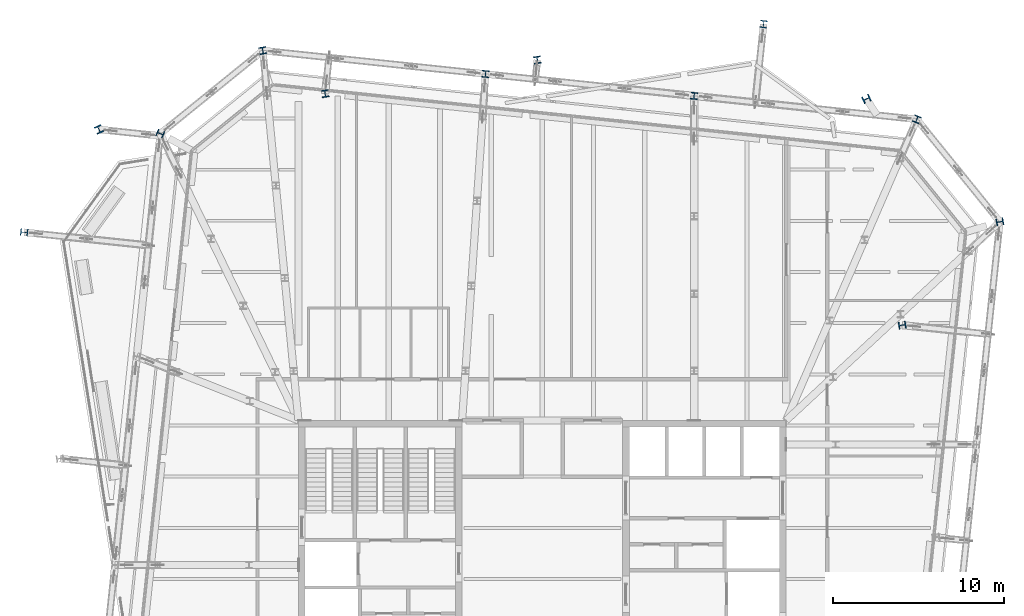
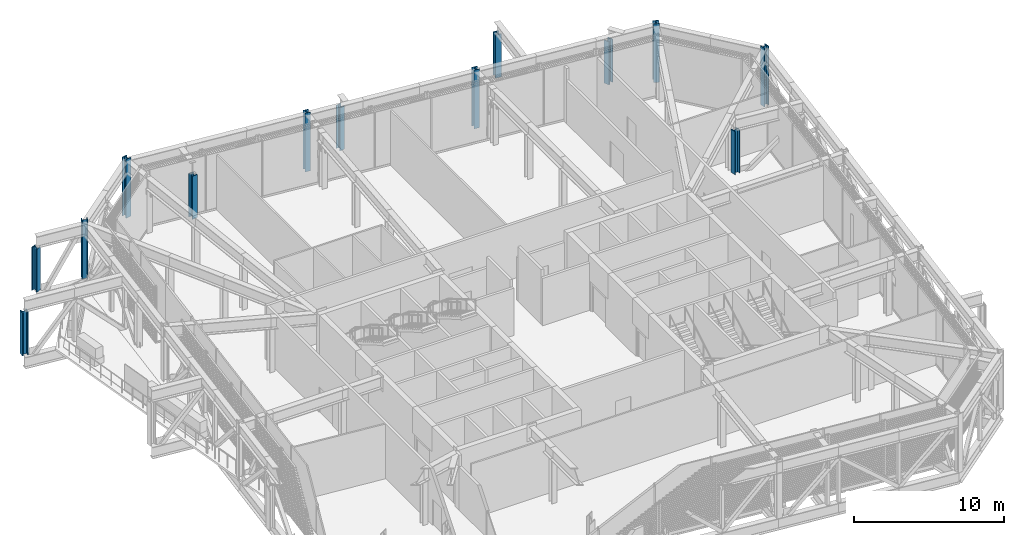
# One storey, part 2 of 36: 13 columns.
"""IFC4 building model written with IfcOpenShell, lengths in metres."""

from ifc_helpers import new_model, si_unit, direction, frame, origin, origin_2d, place, context, subcontext, project, spatial, i_section, extrude, material, material_profile, profile_set, type_object, element, save


model = new_model("IFC4")

# Units and contexts
model_context = context("Model", 3, precision=1e-05, world=origin(), true_north=direction((0.0, 1.0)))
body_context = subcontext(model_context, "Body", "Model", "MODEL_VIEW")
ifc_project = project(units=[si_unit("LENGTHUNIT", "METRE"), si_unit("AREAUNIT", "SQUARE_METRE"), si_unit("VOLUMEUNIT", "CUBIC_METRE"), si_unit("PLANEANGLEUNIT", "RADIAN"), si_unit("MASSUNIT", "GRAM", prefix="KILO")], contexts=[model_context])

# Site, building, storey
site_placement = place(None, origin())
site = spatial("IfcSite", under=ifc_project, at=site_placement, CompositionType="ELEMENT")
building_placement = place(site_placement, origin())
building = spatial("IfcBuilding", under=site, at=building_placement, Name="Millrace Tower", CompositionType="ELEMENT")
storey_placement = place(building_placement, frame((0.0, 0.0, 271.39990234375)))
storey = spatial("IfcBuildingStorey", under=building, at=storey_placement, Name="L62", CompositionType="ELEMENT", Elevation=271.39990234375)

# Columns
ifc_material_1 = material(Name="Steel ASTM A913 Grade 65", Category="steel")
ifc_material_profile_1 = material_profile(ifc_material_1, i_section(OverallWidth=0.4013671875, OverallDepth=0.398681640625, WebThickness=0.02490234375, FlangeThickness=0.03955078125, FilletRadius=0.01513671875, at=origin_2d()))
ifc_profile_set_1 = profile_set([ifc_material_profile_1], Name="Steel ASTM A913 Grade 65")
column_type_1 = type_object("IfcColumnType", Name="Exoskeleton column W14x211", PredefinedType="COLUMN", material=ifc_profile_set_1)
for number, where, z_axis, x_axis, name in (
    (1, (8.9033203125, 28.321533203125, -0.159912109375), (0.0, 0.0, 1.0), (-0.994521897246, 0.104528445407, 0.0), "COL-E-L62-X11"),
    (2, (-3.329345703125, 29.607177734375, -0.159912109375), (0.0, 0.0, 1.0), (-0.994521897246, 0.104528445407, 0.0), "COL-E-L62-X12"),
):
    element("IfcColumn", number, at=place(storey_placement, frame(where, z_axis=z_axis, x_axis=x_axis)), inside=storey, type_object=column_type_1, Name=name, PredefinedType="COLUMN", context=body_context, shape_type="SweptSolid", body=[
        extrude(i_section(OverallWidth=0.4013671875, OverallDepth=0.398681640625, WebThickness=0.02490234375, FlangeThickness=0.03955078125, FilletRadius=0.01513671875, at=origin_2d()), origin(), (0.0, 0.0, 1.0), 4.760009765625),
    ])
ifc_material_2 = material(Name="Steel ASTM A913 Grade 65", Category="steel")
ifc_material_profile_2 = material_profile(ifc_material_2, i_section(OverallWidth=0.406494140625, OverallDepth=0.41650390625, WebThickness=0.030029296875, FlangeThickness=0.048095703125, FilletRadius=0.01513671875, at=origin_2d()))
ifc_profile_set_2 = profile_set([ifc_material_profile_2], Name="Steel ASTM A913 Grade 65")
column_type_2 = type_object("IfcColumnType", Name="Exoskeleton column W14x257", PredefinedType="COLUMN", material=ifc_profile_set_2)
for number, where, z_axis, x_axis, name in (
    (3, (26.82958984375, 20.935791015625, -0.159912109375), (0.0, 0.0, 1.0), (-0.18038747256, 0.983595628164, 0.0), "COL-E-L62-X09"),
    (4, (21.9599609375, 26.94921875, -0.159912109375), (0.0, 0.0, 1.0), (-0.92459700658, 0.380946683176, 0.0), "COL-E-L62-X10"),
    (5, (-16.3857421875, 30.9794921875, -0.159912109375), (0.0, 0.0, 1.0), (-0.983595628164, -0.18038747256, 0.0), "COL-E-L62-X13"),
    (6, (-22.399169921875, 26.10986328125, -0.159912109375), (0.0, 0.0, 1.0), (-0.380946683176, -0.92459700658, 0.0), "COL-E-L62-X14"),
):
    element("IfcColumn", number, at=place(storey_placement, frame(where, z_axis=z_axis, x_axis=x_axis)), inside=storey, type_object=column_type_2, Name=name, PredefinedType="COLUMN", context=body_context, shape_type="SweptSolid", body=[
        extrude(i_section(OverallWidth=0.406494140625, OverallDepth=0.41650390625, WebThickness=0.030029296875, FlangeThickness=0.048095703125, FilletRadius=0.01513671875, at=origin_2d()), origin(), (0.0, 0.0, 1.0), 4.760009765625),
    ])
ifc_material_3 = material(Name="Steel ASTM A913 Grade 65", Category="steel")
ifc_material_profile_3 = material_profile(ifc_material_3, i_section(OverallWidth=0.408935546875, OverallDepth=0.424072265625, WebThickness=0.03271484375, FlangeThickness=0.052490234375, FilletRadius=0.01513671875, at=origin_2d()))
ifc_profile_set_3 = profile_set([ifc_material_profile_3], Name="Steel ASTM A913 Grade 65")
column_type_3 = type_object("IfcColumnType", Name="Exoskeleton column W14x283", PredefinedType="COLUMN", material=ifc_profile_set_3)
for number, where, z_axis, x_axis, name in (
    (7, (21.106689453125, 14.88330078125, 0.0), (0.0, 0.0, 1.0), (-0.156434462265, 0.987688341035, 0.0), "COL-D-L62-X08"),
    (8, (-0.288330078125, 30.427734375, 0.0), (0.0, 0.0, 1.0), (-0.987688341035, -0.156434462265, 0.0), "COL-D-L62-X11"),
    (9, (-12.7333984375, 28.456787109375, 0.0), (0.0, 0.0, 1.0), (-0.987688341035, -0.156434462265, 0.0), "COL-D-L62-X12"),
):
    element("IfcColumn", number, at=place(storey_placement, frame(where, z_axis=z_axis, x_axis=x_axis)), inside=storey, type_object=column_type_3, Name=name, PredefinedType="COLUMN", context=body_context, shape_type="SweptSolid", body=[
        extrude(i_section(OverallWidth=0.408935546875, OverallDepth=0.424072265625, WebThickness=0.03271484375, FlangeThickness=0.052490234375, FilletRadius=0.01513671875, at=origin_2d()), origin(), (0.0, 0.0, 1.0), 3.49267578125),
    ])
ifc_material_4 = material(Name="Steel ASTM A913 Grade 65", Category="steel")
ifc_material_profile_4 = material_profile(ifc_material_4, i_section(OverallWidth=0.41650390625, OverallDepth=0.444580078125, WebThickness=0.0390625, FlangeThickness=0.062744140625, FilletRadius=0.01513671875, at=origin_2d()))
ifc_profile_set_4 = profile_set([ifc_material_profile_4], Name="Steel ASTM A913 Grade 65")
column_type_4 = type_object("IfcColumnType", Name="Exoskeleton column W14x342", PredefinedType="COLUMN", material=ifc_profile_set_4)
for number, where, z_axis, x_axis, name in (
    (10, (19.006103515625, 28.146484375, 0.0), (0.0, 0.0, 1.0), (-0.418552981224, 0.908192381552, 0.0), "COL-D-L62-X09"),
    (11, (12.974609375, 32.5283203125, 0.0), (0.0, 0.0, 1.0), (-0.993082267365, 0.117420655103, 0.0), "COL-D-L62-X10"),
    (12, (-25.996337890625, 26.35595703125, 0.0), (0.0, 0.0, 1.0), (-0.908192381552, -0.418552981224, 0.0), "COL-D-L62-X13"),
    (13, (-30.37841796875, 20.32470703125, 0.0), (0.0, 0.0, 1.0), (-0.117420655103, -0.993082267365, 0.0), "COL-D-L62-X14"),
):
    element("IfcColumn", number, at=place(storey_placement, frame(where, z_axis=z_axis, x_axis=x_axis)), inside=storey, type_object=column_type_4, Name=name, PredefinedType="COLUMN", context=body_context, shape_type="SweptSolid", body=[
        extrude(i_section(OverallWidth=0.41650390625, OverallDepth=0.444580078125, WebThickness=0.0390625, FlangeThickness=0.062744140625, FilletRadius=0.01513671875, at=origin_2d()), origin(), (0.0, 0.0, 1.0), 3.49267578125),
    ])

save(model, "model.ifc")
